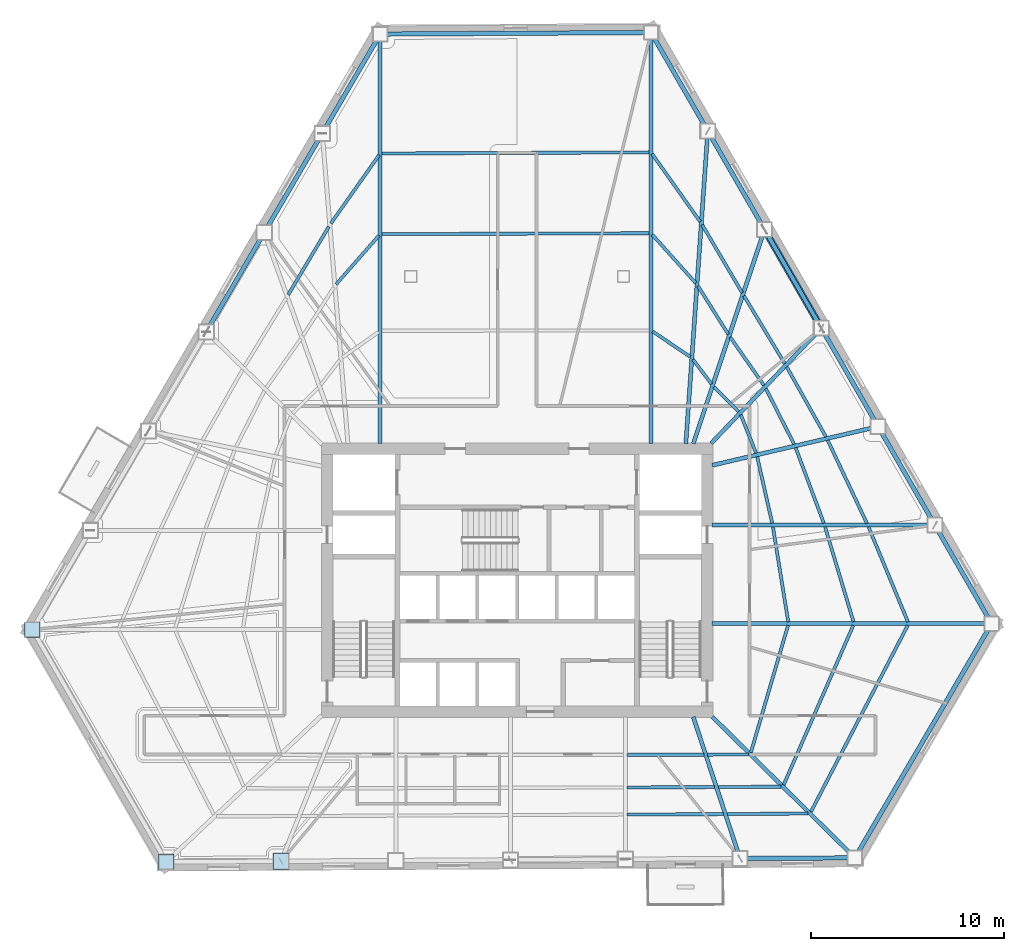
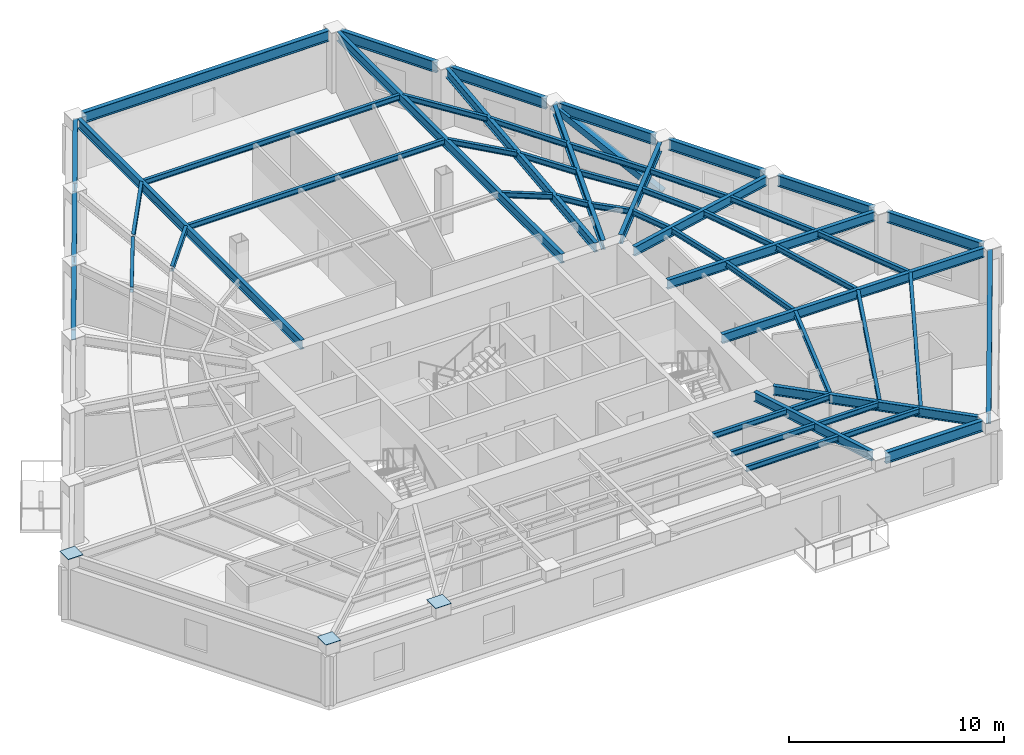
# One storey, part 2 of 14: 54 beams, 3 plates, 1 member.
"""IFC4 building model written with IfcOpenShell, lengths in metres."""

from ifc_helpers import new_model, si_unit, direction, frame, origin, origin_2d, place, context, subcontext, project, spatial, rectangle, hollow_rectangle, i_section, extrude, material, layer, layer_set, material_profile, profile_set, type_object, element, save


model = new_model("IFC4")

# Units and contexts
model_context = context("Model", 3, precision=1e-05, world=origin(), true_north=direction((0.0, 1.0)))
body_context = subcontext(model_context, "Body", "Model", "MODEL_VIEW")
ifc_project = project(units=[si_unit("LENGTHUNIT", "METRE"), si_unit("AREAUNIT", "SQUARE_METRE"), si_unit("VOLUMEUNIT", "CUBIC_METRE"), si_unit("PLANEANGLEUNIT", "RADIAN"), si_unit("MASSUNIT", "GRAM", prefix="KILO")], contexts=[model_context])

# Site, building, storey
site_placement = place(None, origin())
site = spatial("IfcSite", under=ifc_project, at=site_placement, CompositionType="ELEMENT")
building_placement = place(site_placement, origin())
building = spatial("IfcBuilding", under=site, at=building_placement, Name="Kavelnor Concourse Tower", CompositionType="ELEMENT")
storey_placement = place(building_placement, frame((0.0, 0.0, 71.449951171875)))
storey = spatial("IfcBuildingStorey", under=building, at=storey_placement, Name="L18", CompositionType="ELEMENT", Elevation=71.449951171875)

# Beams
ifc_material = material(Name="Steel Grade 350", Category="steel")
ifc_material_profile_1 = material_profile(ifc_material, i_section(OverallWidth=0.166015625, OverallDepth=0.306884765625, WebThickness=0.006591796875, FlangeThickness=0.01171875, at=origin_2d()), Name="310UB46")
ifc_profile_set_1 = profile_set([ifc_material_profile_1], Name="Steel Grade 350")
beam_type_1 = type_object("IfcBeamType", Name="BM-JOIST-310", PredefinedType="JOIST", material=ifc_profile_set_1)
beam_1_placement = place(storey_placement, frame((43.693115234375, 7.0751953125, 3.276611328125), z_axis=(0.99999767017, 0.002158623317, 0.0), x_axis=(-0.002158623317, 0.99999767017, 0.0)))
element("IfcBeam", 1, at=beam_1_placement, inside=storey, type_object=beam_type_1, Name="L18 Secondary Composite Joist 06-1", PredefinedType="JOIST", context=body_context, shape_type="SweptSolid", body=[
    extrude(i_section(OverallWidth=0.166015625, OverallDepth=0.306884765625, WebThickness=0.006591796875, FlangeThickness=0.01171875, at=origin_2d()), origin(), (0.0, 0.0, 1.0), 3.95849609375),
])
beam_2_placement = place(storey_placement, frame((43.693115234375, 5.39111328125, 3.276611328125), z_axis=(0.999992413558, 0.003895231215, 0.0), x_axis=(-0.003895231215, 0.999992413558, 0.0)))
element("IfcBeam", 2, at=beam_2_placement, inside=storey, type_object=beam_type_1, Name="L18 Secondary Composite Joist 06-2", PredefinedType="JOIST", context=body_context, shape_type="SweptSolid", body=[
    extrude(i_section(OverallWidth=0.166015625, OverallDepth=0.306884765625, WebThickness=0.006591796875, FlangeThickness=0.01171875, at=origin_2d()), origin(), (0.0, 0.0, 1.0), 4.5126953125),
])
beam_3_placement = place(storey_placement, frame((43.693115234375, 3.98779296875, 3.276611328125), z_axis=(0.999987223901, 0.005054902045, 0.0), x_axis=(-0.005054902045, 0.999987223901, 0.0)))
element("IfcBeam", 3, at=beam_3_placement, inside=storey, type_object=beam_type_1, Name="L18 Secondary Composite Joist 06-3", PredefinedType="JOIST", context=body_context, shape_type="SweptSolid", body=[
    extrude(i_section(OverallWidth=0.166015625, OverallDepth=0.306884765625, WebThickness=0.006591796875, FlangeThickness=0.01171875, at=origin_2d()), origin(), (0.0, 0.0, 1.0), 4.974609375),
])
beam_4_placement = place(storey_placement, frame((47.8486328125, 7.084716796875, 3.276611328125), z_axis=(0.99997744795, 0.006715920794, 0.0), x_axis=(-0.006715920794, 0.99997744795, 0.0)))
element("IfcBeam", 4, at=beam_4_placement, inside=storey, type_object=beam_type_1, Name="L18 Secondary Composite Joist 07-1", PredefinedType="JOIST", context=body_context, shape_type="SweptSolid", body=[
    extrude(i_section(OverallWidth=0.166015625, OverallDepth=0.306884765625, WebThickness=0.006591796875, FlangeThickness=0.01171875, at=origin_2d()), origin(), (0.0, 0.0, 1.0), 2.1083984375),
])
beam_5_placement = place(storey_placement, frame((48.40283203125, 5.409912109375, 3.276611328125), z_axis=(0.999975409502, 0.007012873319, 0.0), x_axis=(-0.007012873319, 0.999975409502, 0.0)))
element("IfcBeam", 5, at=beam_5_placement, inside=storey, type_object=beam_type_1, Name="L18 Secondary Composite Joist 07-2", PredefinedType="JOIST", context=body_context, shape_type="SweptSolid", body=[
    extrude(i_section(OverallWidth=0.166015625, OverallDepth=0.306884765625, WebThickness=0.006591796875, FlangeThickness=0.01171875, at=origin_2d()), origin(), (0.0, 0.0, 1.0), 3.237548828125),
])
beam_6_placement = place(storey_placement, frame((48.86474609375, 4.01416015625, 3.276611328125), z_axis=(0.999974176827, 0.007186492769, 0.0), x_axis=(-0.007186492769, 0.999974176827, 0.0)))
element("IfcBeam", 6, at=beam_6_placement, inside=storey, type_object=beam_type_1, Name="L18 Secondary Composite Joist 07-3", PredefinedType="JOIST", context=body_context, shape_type="SweptSolid", body=[
    extrude(i_section(OverallWidth=0.166015625, OverallDepth=0.306884765625, WebThickness=0.006591796875, FlangeThickness=0.01171875, at=origin_2d()), origin(), (0.0, 0.0, 1.0), 4.178466796875),
])
beam_7_placement = place(storey_placement, frame((50.083251953125, 7.194091796875, 3.276611328125), z_axis=(0.280464349423, 0.959864442879, 0.0), x_axis=(-0.959864442879, 0.280464349423, 0.0)))
element("IfcBeam", 7, at=beam_7_placement, inside=storey, type_object=beam_type_1, Name="L18 Secondary Composite Joist 08-1", PredefinedType="JOIST", context=body_context, shape_type="SweptSolid", body=[
    extrude(i_section(OverallWidth=0.166015625, OverallDepth=0.306884765625, WebThickness=0.006591796875, FlangeThickness=0.01171875, at=origin_2d()), origin(), (0.0, 0.0, 1.0), 6.84375),
])
beam_8_placement = place(storey_placement, frame((51.7783203125, 5.523681640625, 3.276611328125), z_axis=(0.400098249268, 0.916472253226, 0.0), x_axis=(-0.916472253226, 0.400098249268, 0.0)))
element("IfcBeam", 8, at=beam_8_placement, inside=storey, type_object=beam_type_1, Name="L18 Secondary Composite Joist 08-2", PredefinedType="JOIST", context=body_context, shape_type="SweptSolid", body=[
    extrude(i_section(OverallWidth=0.166015625, OverallDepth=0.306884765625, WebThickness=0.006591796875, FlangeThickness=0.01171875, at=origin_2d()), origin(), (0.0, 0.0, 1.0), 8.994873046875),
])
beam_9_placement = place(storey_placement, frame((53.187255859375, 4.132080078125, 3.276611328125), z_axis=(0.460900393937, 0.887451872987, 0.0), x_axis=(-0.887451872987, 0.460900393937, 0.0)))
element("IfcBeam", 9, at=beam_9_placement, inside=storey, type_object=beam_type_1, Name="L18 Secondary Composite Joist 08-3", PredefinedType="JOIST", context=body_context, shape_type="SweptSolid", body=[
    extrude(i_section(OverallWidth=0.166015625, OverallDepth=0.306884765625, WebThickness=0.006591796875, FlangeThickness=0.01171875, at=origin_2d()), origin(), (0.0, 0.0, 1.0), 10.860595703125),
])
beam_10_placement = place(storey_placement, frame((52.014892578125, 13.954833984375, 3.276611328125), z_axis=(-0.159297421533, 0.987230637436, 0.0), x_axis=(-0.987230637436, -0.159297421533, 0.0)))
element("IfcBeam", 10, at=beam_10_placement, inside=storey, type_object=beam_type_1, Name="L18 Secondary Composite Joist 09-1", PredefinedType="JOIST", context=body_context, shape_type="SweptSolid", body=[
    extrude(i_section(OverallWidth=0.166015625, OverallDepth=0.306884765625, WebThickness=0.006591796875, FlangeThickness=0.01171875, at=origin_2d()), origin(), (0.0, 0.0, 1.0), 4.9609375),
])
beam_11_placement = place(storey_placement, frame((55.38818359375, 13.951904296875, 3.276611328125), z_axis=(-0.287019702166, 0.957924678964, 0.0), x_axis=(-0.957924678964, -0.287019702166, 0.0)))
element("IfcBeam", 11, at=beam_11_placement, inside=storey, type_object=beam_type_1, Name="L18 Secondary Composite Joist 09-2", PredefinedType="JOIST", context=body_context, shape_type="SweptSolid", body=[
    extrude(i_section(OverallWidth=0.166015625, OverallDepth=0.306884765625, WebThickness=0.006591796875, FlangeThickness=0.01171875, at=origin_2d()), origin(), (0.0, 0.0, 1.0), 5.118896484375),
])
beam_12_placement = place(storey_placement, frame((58.20068359375, 13.948486328125, 3.276611328125), z_axis=(-0.383229103108, 0.92365331945, 0.0), x_axis=(-0.92365331945, -0.383229103108, 0.0)))
element("IfcBeam", 12, at=beam_12_placement, inside=storey, type_object=beam_type_1, Name="L18 Secondary Composite Joist 09-3", PredefinedType="JOIST", context=body_context, shape_type="SweptSolid", body=[
    extrude(i_section(OverallWidth=0.166015625, OverallDepth=0.306884765625, WebThickness=0.006591796875, FlangeThickness=0.01171875, at=origin_2d()), origin(), (0.0, 0.0, 1.0), 5.316162109375),
])
beam_13_placement = place(storey_placement, frame((51.18701171875, 19.0458984375, 3.276611328125), z_axis=(-0.220662756181, 0.975350166881, 0.0), x_axis=(-0.975350166881, -0.220662756181, 0.0)))
element("IfcBeam", 13, at=beam_13_placement, inside=storey, type_object=beam_type_1, Name="L18 Secondary Composite Joist 10-1", PredefinedType="JOIST", context=body_context, shape_type="SweptSolid", body=[
    extrude(i_section(OverallWidth=0.166015625, OverallDepth=0.306884765625, WebThickness=0.006591796875, FlangeThickness=0.01171875, at=origin_2d()), origin(), (0.0, 0.0, 1.0), 3.52392578125),
])
beam_14_placement = place(storey_placement, frame((53.856201171875, 19.0419921875, 3.276611328125), z_axis=(-0.349466981674, 0.936948679875, 0.0), x_axis=(-0.936948679875, -0.349466981674, 0.0)))
element("IfcBeam", 14, at=beam_14_placement, inside=storey, type_object=beam_type_1, Name="L18 Secondary Composite Joist 10-2", PredefinedType="JOIST", context=body_context, shape_type="SweptSolid", body=[
    extrude(i_section(OverallWidth=0.166015625, OverallDepth=0.306884765625, WebThickness=0.006591796875, FlangeThickness=0.01171875, at=origin_2d()), origin(), (0.0, 0.0, 1.0), 4.168701171875),
])
beam_15_placement = place(storey_placement, frame((56.08349609375, 19.038818359375, 3.276611328125), z_axis=(-0.426979463704, 0.904261321508, 0.0), x_axis=(-0.904261321508, -0.426979463704, 0.0)))
element("IfcBeam", 15, at=beam_15_placement, inside=storey, type_object=beam_type_1, Name="L18 Secondary Composite Joist 10-3", PredefinedType="JOIST", context=body_context, shape_type="SweptSolid", body=[
    extrude(i_section(OverallWidth=0.166015625, OverallDepth=0.306884765625, WebThickness=0.006591796875, FlangeThickness=0.01171875, at=origin_2d()), origin(), (0.0, 0.0, 1.0), 4.75146484375),
])
beam_16_placement = place(storey_placement, frame((50.351318359375, 22.67041015625, 3.276611328125), z_axis=(-0.369236682769, 0.929335392685, 0.0), x_axis=(-0.929335392685, -0.369236682769, 0.0)))
element("IfcBeam", 16, at=beam_16_placement, inside=storey, type_object=beam_type_1, Name="L18 Secondary Composite Joist 11-1", PredefinedType="JOIST", context=body_context, shape_type="SweptSolid", body=[
    extrude(i_section(OverallWidth=0.166015625, OverallDepth=0.306884765625, WebThickness=0.006591796875, FlangeThickness=0.01171875, at=origin_2d()), origin(), (0.0, 0.0, 1.0), 2.131103515625),
])
beam_17_placement = place(storey_placement, frame((52.3203125, 23.1279296875, 3.276611328125), z_axis=(-0.452990641211, 0.891515271308, 0.0), x_axis=(-0.891515271308, -0.452990641211, 0.0)))
element("IfcBeam", 17, at=beam_17_placement, inside=storey, type_object=beam_type_1, Name="L18 Secondary Composite Joist 11-2", PredefinedType="JOIST", context=body_context, shape_type="SweptSolid", body=[
    extrude(i_section(OverallWidth=0.166015625, OverallDepth=0.306884765625, WebThickness=0.006591796875, FlangeThickness=0.01171875, at=origin_2d()), origin(), (0.0, 0.0, 1.0), 3.223388671875),
])
beam_18_placement = place(storey_placement, frame((53.96435546875, 23.51025390625, 3.276611328125), z_axis=(-0.489114392909, 0.872219645874, 0.0), x_axis=(-0.872219645874, -0.489114392909, 0.0)))
element("IfcBeam", 18, at=beam_18_placement, inside=storey, type_object=beam_type_1, Name="L18 Secondary Composite Joist 11-3", PredefinedType="JOIST", context=body_context, shape_type="SweptSolid", body=[
    extrude(i_section(OverallWidth=0.166015625, OverallDepth=0.306884765625, WebThickness=0.006591796875, FlangeThickness=0.01171875, at=origin_2d()), origin(), (0.0, 0.0, 1.0), 4.1455078125),
])
beam_19_placement = place(storey_placement, frame((49.45849609375, 24.81201171875, 3.276611328125), z_axis=(-0.706904818011, 0.707308686694, 0.0), x_axis=(-0.707308686694, -0.706904818011, 0.0)))
element("IfcBeam", 19, at=beam_19_placement, inside=storey, type_object=beam_type_1, Name="L18 Secondary Composite Joist 12-1", PredefinedType="JOIST", context=body_context, shape_type="SweptSolid", body=[
    extrude(i_section(OverallWidth=0.166015625, OverallDepth=0.306884765625, WebThickness=0.006591796875, FlangeThickness=0.01171875, at=origin_2d()), origin(), (0.0, 0.0, 1.0), 1.8134765625),
])
beam_20_placement = place(storey_placement, frame((50.759033203125, 26.170166015625, 3.276611328125), z_axis=(-0.573019473464, 0.819541751854, 0.0), x_axis=(-0.819541751854, -0.573019473464, 0.0)))
element("IfcBeam", 20, at=beam_20_placement, inside=storey, type_object=beam_type_1, Name="L18 Secondary Composite Joist 12-2", PredefinedType="JOIST", context=body_context, shape_type="SweptSolid", body=[
    extrude(i_section(OverallWidth=0.166015625, OverallDepth=0.306884765625, WebThickness=0.006591796875, FlangeThickness=0.01171875, at=origin_2d()), origin(), (0.0, 0.0, 1.0), 3.034423828125),
])
beam_21_placement = place(storey_placement, frame((51.837646484375, 27.296142578125, 3.276611328125), z_axis=(-0.515909145638, 0.856643305844, 0.0), x_axis=(-0.856643305844, -0.515909145638, 0.0)))
element("IfcBeam", 21, at=beam_21_placement, inside=storey, type_object=beam_type_1, Name="L18 Secondary Composite Joist 12-3", PredefinedType="JOIST", context=body_context, shape_type="SweptSolid", body=[
    extrude(i_section(OverallWidth=0.166015625, OverallDepth=0.306884765625, WebThickness=0.006591796875, FlangeThickness=0.01171875, at=origin_2d()), origin(), (0.0, 0.0, 1.0), 4.087646484375),
])
beam_22_placement = place(storey_placement, frame((48.047607421875, 26.242919921875, 3.276611328125), z_axis=(-0.601574315012, 0.798816839781, 0.0), x_axis=(-0.798816839781, -0.601574315012, 0.0)))
element("IfcBeam", 22, at=beam_22_placement, inside=storey, type_object=beam_type_1, Name="L18 Secondary Composite Joist 13-1", PredefinedType="JOIST", context=body_context, shape_type="SweptSolid", body=[
    extrude(i_section(OverallWidth=0.166015625, OverallDepth=0.306884765625, WebThickness=0.006591796875, FlangeThickness=0.01171875, at=origin_2d()), origin(), (0.0, 0.0, 1.0), 1.5869140625),
])
beam_23_placement = place(storey_placement, frame((48.911376953125, 28.8212890625, 3.276611328125), z_axis=(-0.531922387474, 0.846793111512, 0.0), x_axis=(-0.846793111512, -0.531922387474, 0.0)))
element("IfcBeam", 23, at=beam_23_placement, inside=storey, type_object=beam_type_1, Name="L18 Secondary Composite Joist 13-2", PredefinedType="JOIST", context=body_context, shape_type="SweptSolid", body=[
    extrude(i_section(OverallWidth=0.166015625, OverallDepth=0.306884765625, WebThickness=0.006591796875, FlangeThickness=0.01171875, at=origin_2d()), origin(), (0.0, 0.0, 1.0), 2.93017578125),
])
beam_24_placement = place(storey_placement, frame((49.628173828125, 30.96728515625, 3.276611328125), z_axis=(-0.506730792157, 0.862104346515, 0.0), x_axis=(-0.862104346515, -0.506730792157, 0.0)))
element("IfcBeam", 24, at=beam_24_placement, inside=storey, type_object=beam_type_1, Name="L18 Secondary Composite Joist 13-3", PredefinedType="JOIST", context=body_context, shape_type="SweptSolid", body=[
    extrude(i_section(OverallWidth=0.166015625, OverallDepth=0.306884765625, WebThickness=0.006591796875, FlangeThickness=0.01171875, at=origin_2d()), origin(), (0.0, 0.0, 1.0), 4.056640625),
])
beam_25_placement = place(storey_placement, frame((46.9521484375, 27.64453125, 3.276611328125), z_axis=(-0.828646277142, 0.559772585412, 0.0), x_axis=(-0.559772585412, -0.828646277142, 0.0)))
element("IfcBeam", 25, at=beam_25_placement, inside=storey, type_object=beam_type_1, Name="L18 Secondary Composite Joist 14-1", PredefinedType="JOIST", context=body_context, shape_type="SweptSolid", body=[
    extrude(i_section(OverallWidth=0.166015625, OverallDepth=0.306884765625, WebThickness=0.006591796875, FlangeThickness=0.01171875, at=origin_2d()), origin(), (0.0, 0.0, 1.0), 2.349853515625),
])
beam_26_placement = place(storey_placement, frame((47.234619140625, 31.458984375, 3.276611328125), z_axis=(-0.66802526022, 0.74413859711, 0.0), x_axis=(-0.74413859711, -0.66802526022, 0.0)))
element("IfcBeam", 26, at=beam_26_placement, inside=storey, type_object=beam_type_1, Name="L18 Secondary Composite Joist 14-2", PredefinedType="JOIST", context=body_context, shape_type="SweptSolid", body=[
    extrude(i_section(OverallWidth=0.166015625, OverallDepth=0.306884765625, WebThickness=0.006591796875, FlangeThickness=0.01171875, at=origin_2d()), origin(), (0.0, 0.0, 1.0), 3.361572265625),
])
beam_27_placement = place(storey_placement, frame((47.465576171875, 34.6298828125, 3.276611328125), z_axis=(-0.578359352015, 0.81578211548, 0.0), x_axis=(-0.81578211548, -0.578359352015, 0.0)))
element("IfcBeam", 27, at=beam_27_placement, inside=storey, type_object=beam_type_1, Name="L18 Secondary Composite Joist 14-3", PredefinedType="JOIST", context=body_context, shape_type="SweptSolid", body=[
    extrude(i_section(OverallWidth=0.166015625, OverallDepth=0.306884765625, WebThickness=0.006591796875, FlangeThickness=0.01171875, at=origin_2d()), origin(), (0.0, 0.0, 1.0), 4.29736328125),
])
beam_28_placement = place(storey_placement, frame((44.82470703125, 34.033447265625, 3.276611328125), z_axis=(-0.999995207164, -0.003096069941, 0.0), x_axis=(0.003096069941, -0.999995207164, 0.0)))
element("IfcBeam", 28, at=beam_28_placement, inside=storey, type_object=beam_type_1, Name="L18 Secondary Composite Joist 15-2", PredefinedType="JOIST", context=body_context, shape_type="SweptSolid", body=[
    extrude(i_section(OverallWidth=0.166015625, OverallDepth=0.306884765625, WebThickness=0.006591796875, FlangeThickness=0.01171875, at=origin_2d()), origin(), (0.0, 0.0, 1.0), 13.799560546875),
])
beam_29_placement = place(storey_placement, frame((44.82470703125, 38.215576171875, 3.276611328125), z_axis=(-0.999990758848, -0.004299095136, 0.0), x_axis=(0.004299095136, -0.999990758848, 0.0)))
element("IfcBeam", 29, at=beam_29_placement, inside=storey, type_object=beam_type_1, Name="L18 Secondary Composite Joist 15-3", PredefinedType="JOIST", context=body_context, shape_type="SweptSolid", body=[
    extrude(i_section(OverallWidth=0.166015625, OverallDepth=0.306884765625, WebThickness=0.006591796875, FlangeThickness=0.01171875, at=origin_2d()), origin(), (0.0, 0.0, 1.0), 13.7998046875),
])
beam_30_placement = place(storey_placement, frame((30.861572265625, 33.91650390625, 3.276611328125), z_axis=(-0.660105894904, -0.751172555085, 0.0), x_axis=(0.751172555085, -0.660105894904, 0.0)))
element("IfcBeam", 30, at=beam_30_placement, inside=storey, type_object=beam_type_1, Name="L18 Secondary Composite Joist 16-2", PredefinedType="JOIST", context=body_context, shape_type="SweptSolid", body=[
    extrude(i_section(OverallWidth=0.166015625, OverallDepth=0.306884765625, WebThickness=0.006591796875, FlangeThickness=0.01171875, at=origin_2d()), origin(), (0.0, 0.0, 1.0), 3.353759765625),
])
beam_31_placement = place(storey_placement, frame((30.869873046875, 38.075439453125, 3.276611328125), z_axis=(-0.576241770605, -0.817279280179, 0.0), x_axis=(0.817279280179, -0.576241770605, 0.0)))
element("IfcBeam", 31, at=beam_31_placement, inside=storey, type_object=beam_type_1, Name="L18 Secondary Composite Joist 16-3", PredefinedType="JOIST", context=body_context, shape_type="SweptSolid", body=[
    extrude(i_section(OverallWidth=0.166015625, OverallDepth=0.306884765625, WebThickness=0.006591796875, FlangeThickness=0.01171875, at=origin_2d()), origin(), (0.0, 0.0, 1.0), 4.322021484375),
])
beam_32_placement = place(storey_placement, frame((28.272216796875, 34.378173828125, 3.276611328125), z_axis=(-0.512140504396, -0.85890168457, 0.0), x_axis=(0.85890168457, -0.512140504396, 0.0)))
element("IfcBeam", 32, at=beam_32_placement, inside=storey, type_object=beam_type_1, Name="L18 Secondary Composite Joist 17-3", PredefinedType="JOIST", context=body_context, shape_type="SweptSolid", body=[
    extrude(i_section(OverallWidth=0.166015625, OverallDepth=0.306884765625, WebThickness=0.006591796875, FlangeThickness=0.01171875, at=origin_2d()), origin(), (0.0, 0.0, 1.0), 4.10400390625),
])
ifc_material_profile_2 = material_profile(ifc_material, i_section(OverallWidth=0.208984375, OverallDepth=0.528076171875, WebThickness=0.009521484375, FlangeThickness=0.01318359375, at=origin_2d()), Name="530UB82")
ifc_profile_set_2 = profile_set([ifc_material_profile_2], Name="Steel Grade 350")
beam_type_2 = type_object("IfcBeamType", Name="BM-PRIMARY-530", PredefinedType="BEAM", material=ifc_profile_set_2)
beam_33_placement = place(storey_placement, frame((30.926513671875, 23.159912109375, 3.166015625), z_axis=(0.0, 1.0, 0.0), x_axis=(-1.0, 0.0, 0.0)))
element("IfcBeam", 33, at=beam_33_placement, inside=storey, type_object=beam_type_2, Name="L18 Primary Floor Girder F0-B0", PredefinedType="BEAM", context=body_context, shape_type="SweptSolid", body=[
    extrude(i_section(OverallWidth=0.208984375, OverallDepth=0.528076171875, WebThickness=0.009521484375, FlangeThickness=0.01318359375, at=origin_2d()), origin(), (0.0, 0.0, 1.0), 20.82763671875),
])
beam_34_placement = place(storey_placement, frame((47.103759765625, 9.0380859375, 3.166015625), z_axis=(0.31410460139, -0.949388381741, 0.0), x_axis=(0.949388381741, 0.31410460139, 0.0)))
element("IfcBeam", 34, at=beam_34_placement, inside=storey, type_object=beam_type_2, Name="L18 Primary Floor Girder F1-B5", PredefinedType="BEAM", context=body_context, shape_type="SweptSolid", body=[
    extrude(i_section(OverallWidth=0.208984375, OverallDepth=0.528076171875, WebThickness=0.009521484375, FlangeThickness=0.01318359375, at=origin_2d()), origin(), (0.0, 0.0, 1.0), 7.3505859375),
])
beam_35_placement = place(storey_placement, frame((48.091552734375, 9.04345703125, 3.166015625), z_axis=(0.710721605069, -0.703473382644, 0.0), x_axis=(0.703473382644, 0.710721605069, 0.0)))
element("IfcBeam", 35, at=beam_35_placement, inside=storey, type_object=beam_type_2, Name="L18 Primary Floor Girder F1-B6", PredefinedType="BEAM", context=body_context, shape_type="SweptSolid", body=[
    extrude(i_section(OverallWidth=0.208984375, OverallDepth=0.528076171875, WebThickness=0.009521484375, FlangeThickness=0.01318359375, at=origin_2d()), origin(), (0.0, 0.0, 1.0), 9.869140625),
])
beam_36_placement = place(storey_placement, frame((48.080078125, 13.857666015625, 3.166015625), z_axis=(1.0, 0.0, 0.0), x_axis=(0.0, 1.0, 0.0)))
element("IfcBeam", 36, at=beam_36_placement, inside=storey, type_object=beam_type_2, Name="L18 Primary Floor Girder F2-B0", PredefinedType="BEAM", context=body_context, shape_type="SweptSolid", body=[
    extrude(i_section(OverallWidth=0.208984375, OverallDepth=0.528076171875, WebThickness=0.009521484375, FlangeThickness=0.01318359375, at=origin_2d()), origin(), (0.0, 0.0, 1.0), 14.108642578125),
])
beam_37_placement = place(storey_placement, frame((48.080078125, 18.94970703125, 3.166015625), z_axis=(1.0, 0.0, 0.0), x_axis=(0.0, 1.0, 0.0)))
element("IfcBeam", 37, at=beam_37_placement, inside=storey, type_object=beam_type_2, Name="L18 Primary Floor Girder F2-B1", PredefinedType="BEAM", context=body_context, shape_type="SweptSolid", body=[
    extrude(i_section(OverallWidth=0.208984375, OverallDepth=0.528076171875, WebThickness=0.009521484375, FlangeThickness=0.01318359375, at=origin_2d()), origin(), (0.0, 0.0, 1.0), 11.17431640625),
])
beam_38_placement = place(storey_placement, frame((48.0810546875, 22.040771484375, 3.166015625), z_axis=(0.973857811627, 0.22715845292, 0.0), x_axis=(-0.22715845292, 0.973857811627, 0.0)))
element("IfcBeam", 38, at=beam_38_placement, inside=storey, type_object=beam_type_2, Name="L18 Primary Floor Girder F2-B2", PredefinedType="BEAM", context=body_context, shape_type="SweptSolid", body=[
    extrude(i_section(OverallWidth=0.208984375, OverallDepth=0.528076171875, WebThickness=0.009521484375, FlangeThickness=0.01318359375, at=origin_2d()), origin(), (0.0, 0.0, 1.0), 8.45947265625),
])
beam_39_placement = place(storey_placement, frame((48.026123046875, 23.171142578125, 3.166015625), z_axis=(0.690966986082, 0.722886314813, 0.0), x_axis=(-0.722886314813, 0.690966986082, 0.0)))
element("IfcBeam", 39, at=beam_39_placement, inside=storey, type_object=beam_type_2, Name="L18 Primary Floor Girder F2-B3", PredefinedType="BEAM", context=body_context, shape_type="SweptSolid", body=[
    extrude(i_section(OverallWidth=0.208984375, OverallDepth=0.528076171875, WebThickness=0.009521484375, FlangeThickness=0.01318359375, at=origin_2d()), origin(), (0.0, 0.0, 1.0), 7.763427734375),
])
beam_40_placement = place(storey_placement, frame((47.10693359375, 23.162109375, 3.166015625), z_axis=(0.315981485523, 0.948765356032, 0.0), x_axis=(-0.948765356032, 0.315981485523, 0.0)))
element("IfcBeam", 40, at=beam_40_placement, inside=storey, type_object=beam_type_2, Name="L18 Primary Floor Girder F2-B4", PredefinedType="BEAM", context=body_context, shape_type="SweptSolid", body=[
    extrude(i_section(OverallWidth=0.208984375, OverallDepth=0.528076171875, WebThickness=0.009521484375, FlangeThickness=0.01318359375, at=origin_2d()), origin(), (0.0, 0.0, 1.0), 11.301513671875),
])
beam_41_placement = place(storey_placement, frame((46.72265625, 23.16015625, 3.166015625), z_axis=(0.070051124068, 0.997543402573, 0.0), x_axis=(-0.997543402573, 0.070051124068, 0.0)))
element("IfcBeam", 41, at=beam_41_placement, inside=storey, type_object=beam_type_2, Name="L18 Primary Floor Girder F2-B5", PredefinedType="BEAM", context=body_context, shape_type="SweptSolid", body=[
    extrude(i_section(OverallWidth=0.208984375, OverallDepth=0.528076171875, WebThickness=0.009521484375, FlangeThickness=0.01318359375, at=origin_2d()), origin(), (0.0, 0.0, 1.0), 15.857666015625),
])
beam_42_placement = place(storey_placement, frame((44.92333984375, 23.159912109375, 3.166015625), z_axis=(0.0, 1.0, 0.0), x_axis=(-1.0, 0.0, 0.0)))
element("IfcBeam", 42, at=beam_42_placement, inside=storey, type_object=beam_type_2, Name="L18 Primary Floor Girder F2-B6", PredefinedType="BEAM", context=body_context, shape_type="SweptSolid", body=[
    extrude(i_section(OverallWidth=0.208984375, OverallDepth=0.528076171875, WebThickness=0.009521484375, FlangeThickness=0.01318359375, at=origin_2d()), origin(), (0.0, 0.0, 1.0), 20.9111328125),
])
ifc_material_profile_3 = material_profile(ifc_material, i_section(OverallWidth=0.22900390625, OverallDepth=0.612060546875, WebThickness=0.011962890625, FlangeThickness=0.01953125, at=origin_2d()), Name="610UB125")
ifc_profile_set_3 = profile_set([ifc_material_profile_3], Name="Steel Grade 350")
beam_type_3 = type_object("IfcBeamType", Name="BM-SPANDREL-Z1", PredefinedType="SPANDREL", material=ifc_profile_set_3)
beam_43_placement = place(storey_placement, frame((30.752685546875, 44.02978515625, 3.1240234375), z_axis=(-0.504443330936, -0.863444801869, 0.0), x_axis=(0.863444801869, -0.504443330936, 0.0)))
element("IfcBeam", 43, at=beam_43_placement, inside=storey, type_object=beam_type_3, Name="L18 Perimeter Tube Spandrel Beam F0-B0", PredefinedType="SPANDREL", context=body_context, shape_type="SweptSolid", body=[
    extrude(i_section(OverallWidth=0.22900390625, OverallDepth=0.612060546875, WebThickness=0.011962890625, FlangeThickness=0.01953125, at=origin_2d()), origin(), (0.0, 0.0, 1.0), 5.250732421875),
])
for number, where, z_axis, x_axis, name in (
    (44, (27.756103515625, 38.900390625, 3.1240234375), (-0.504428916979, -0.863453222656, 0.0), (0.863453222656, -0.504428916979, 0.0), "L18 Perimeter Tube Spandrel Beam F0-B1"),
    (45, (24.759521484375, 33.771240234375, 3.1240234375), (-0.504428916979, -0.863453222656, 0.0), (0.863453222656, -0.504428916979, 0.0), "L18 Perimeter Tube Spandrel Beam F0-B2"),
):
    element("IfcBeam", number, at=place(storey_placement, frame(where, z_axis=z_axis, x_axis=x_axis)), inside=storey, type_object=beam_type_3, Name=name, PredefinedType="SPANDREL", context=body_context, shape_type="SweptSolid", body=[
        extrude(i_section(OverallWidth=0.22900390625, OverallDepth=0.612060546875, WebThickness=0.011962890625, FlangeThickness=0.01953125, at=origin_2d()), origin(), (0.0, 0.0, 1.0), 5.25048828125),
    ])
beam_44_placement = place(storey_placement, frame((44.578369140625, 44.408935546875, 3.1240234375), z_axis=(-0.999982223246, -0.005962649712, 0.0), x_axis=(0.005962649712, -0.999982223246, 0.0)))
element("IfcBeam", 46, at=beam_44_placement, inside=storey, type_object=beam_type_3, Name="L18 Chamfer Facet Spandrel Beam C0", PredefinedType="SPANDREL", context=body_context, shape_type="SweptSolid", body=[
    extrude(i_section(OverallWidth=0.22900390625, OverallDepth=0.612060546875, WebThickness=0.011962890625, FlangeThickness=0.01953125, at=origin_2d()), origin(), (0.0, 0.0, 1.0), 13.30712890625),
])
beam_45_placement = place(storey_placement, frame((49.870849609375, 1.719482421875, 3.1240234375), z_axis=(0.999982227246, 0.005961978904, 0.0), x_axis=(-0.005961978904, 0.999982227246, 0.0)))
element("IfcBeam", 47, at=beam_45_placement, inside=storey, type_object=beam_type_3, Name="L18 Perimeter Tube Spandrel Beam F1-B5", PredefinedType="SPANDREL", context=body_context, shape_type="SweptSolid", body=[
    extrude(i_section(OverallWidth=0.22900390625, OverallDepth=0.612060546875, WebThickness=0.011962890625, FlangeThickness=0.01953125, at=origin_2d()), origin(), (0.0, 0.0, 1.0), 5.241455078125),
])
for number, where, z_axis, x_axis, name in (
    (48, (62.356689453125, 14.156494140625, 3.1240234375), (-0.49931359491, 0.866421337421, 0.0), (-0.866421337421, -0.49931359491, 0.0), "L18 Perimeter Tube Spandrel Beam F2-B0"),
    (49, (59.42236328125, 19.248779296875, 3.1240234375), (-0.49927826256, 0.86644169829, 0.0), (-0.86644169829, -0.49927826256, 0.0), "L18 Perimeter Tube Spandrel Beam F2-B1"),
    (50, (56.488037109375, 24.341064453125, 3.1240234375), (-0.49927826256, 0.86644169829, 0.0), (-0.86644169829, -0.49927826256, 0.0), "L18 Perimeter Tube Spandrel Beam F2-B2"),
):
    element("IfcBeam", number, at=place(storey_placement, frame(where, z_axis=z_axis, x_axis=x_axis)), inside=storey, type_object=beam_type_3, Name=name, PredefinedType="SPANDREL", context=body_context, shape_type="SweptSolid", body=[
        extrude(i_section(OverallWidth=0.22900390625, OverallDepth=0.612060546875, WebThickness=0.011962890625, FlangeThickness=0.01953125, at=origin_2d()), origin(), (0.0, 0.0, 1.0), 5.187255859375),
    ])
for number, where, z_axis, x_axis, name in (
    (51, (53.553955078125, 29.43310546875, 3.1240234375), (-0.499257902625, 0.866453430178, 0.0), (-0.866453430178, -0.499257902625, 0.0), "L18 Perimeter Tube Spandrel Beam F2-B3"),
    (52, (50.61962890625, 34.525390625, 3.1240234375), (-0.499257902625, 0.866453430178, 0.0), (-0.866453430178, -0.499257902625, 0.0), "L18 Perimeter Tube Spandrel Beam F2-B4"),
    (53, (47.685302734375, 39.61767578125, 3.1240234375), (-0.499257902625, 0.866453430178, 0.0), (-0.866453430178, -0.499257902625, 0.0), "L18 Perimeter Tube Spandrel Beam F2-B5"),
):
    element("IfcBeam", number, at=place(storey_placement, frame(where, z_axis=z_axis, x_axis=x_axis)), inside=storey, type_object=beam_type_3, Name=name, PredefinedType="SPANDREL", context=body_context, shape_type="SweptSolid", body=[
        extrude(i_section(OverallWidth=0.22900390625, OverallDepth=0.612060546875, WebThickness=0.011962890625, FlangeThickness=0.01953125, at=origin_2d()), origin(), (0.0, 0.0, 1.0), 5.1875),
    ])
beam_46_placement = place(storey_placement, frame((55.63134765625, 2.05078125, 3.1240234375), z_axis=(0.504418711598, 0.863459184554, 0.0), x_axis=(-0.863459184554, 0.504418711598, 0.0)))
element("IfcBeam", 54, at=beam_46_placement, inside=storey, type_object=beam_type_3, Name="L18 Chamfer Facet Spandrel Beam C2", PredefinedType="SPANDREL", context=body_context, shape_type="SweptSolid", body=[
    extrude(i_section(OverallWidth=0.22900390625, OverallDepth=0.612060546875, WebThickness=0.011962890625, FlangeThickness=0.01953125, at=origin_2d()), origin(), (0.0, 0.0, 1.0), 13.3291015625),
])

# Member
ifc_material_profile_4 = material_profile(ifc_material, hollow_rectangle(XDim=0.35009765625, YDim=0.35009765625, WallThickness=0.02001953125, at=origin_2d()), Name="SHS 350x350x20")
ifc_profile_set_4 = profile_set([ifc_material_profile_4], Name="Steel Grade 350")
member_type = type_object("IfcMemberType", Name="MBR-TUBE-DIAG-Z1", PredefinedType="BRACE", material=ifc_profile_set_4)
member_placement = place(storey_placement, frame((53.72607421875, 29.13427734375, 0.219970703125), z_axis=(-0.44760984866, 0.776790600163, 0.442991858708), x_axis=(-0.86644549845, -0.499271667747, 0.0)))
element("IfcMember", 55, at=member_placement, inside=storey, type_object=member_type, Name="L18 Framed-Tube Bracing Diagonal F2-B3", PredefinedType="BRACE", context=body_context, shape_type="SweptSolid", body=[
    extrude(hollow_rectangle(XDim=0.35009765625, YDim=0.35009765625, WallThickness=0.02001953125, at=origin_2d()), origin(), (0.0, 0.0, 1.0), 6.5556640625),
])

# Plates
ifc_layer = layer(ifc_material, 0.02490234375, Name="Steel Grade 350")
ifc_layer_set = layer_set([ifc_layer], Name="Steel Grade 350")
plate_type = type_object("IfcPlateType", Name="PL-SPLICE-FLANGE", PredefinedType="SHEET", material=ifc_layer_set)
for number, where, z_axis, x_axis, name in (
    (56, (12.94775390625, 13.552001953125, 3.427001953125), (0.0, 0.0, 1.0), (1.0, 0.0, 0.0), "L18 Column Top Cap Plate F0-B6"),
    (57, (19.868896484375, 1.540771484375, 3.427001953125), (0.0, 0.0, 1.0), (1.0, 0.0, 0.0), "L18 Column Top Cap Plate F1-B0"),
):
    element("IfcPlate", number, at=place(storey_placement, frame(where, z_axis=z_axis, x_axis=x_axis)), inside=storey, type_object=plate_type, Name=name, PredefinedType="SHEET", context=body_context, shape_type="SweptSolid", body=[
        extrude(rectangle(XDim=0.800048828125, YDim=0.800048828125, at=origin_2d()), origin(), (0.0, 0.0, 1.0), 0.02490234375),
    ])
plate_placement = place(storey_placement, frame((25.80029296875, 1.576171875, 3.427001953125), z_axis=(0.0, 0.0, 1.0), x_axis=(1.0, 0.0, 0.0)))
element("IfcPlate", 58, at=plate_placement, inside=storey, type_object=plate_type, Name="L18 Column Top Cap Plate F1-B1", PredefinedType="SHEET", context=body_context, shape_type="SweptSolid", body=[
    extrude(rectangle(XDim=0.840087890625, YDim=0.840087890625, at=origin_2d()), origin(), (0.0, 0.0, 1.0), 0.02490234375),
])

save(model, "model.ifc")
